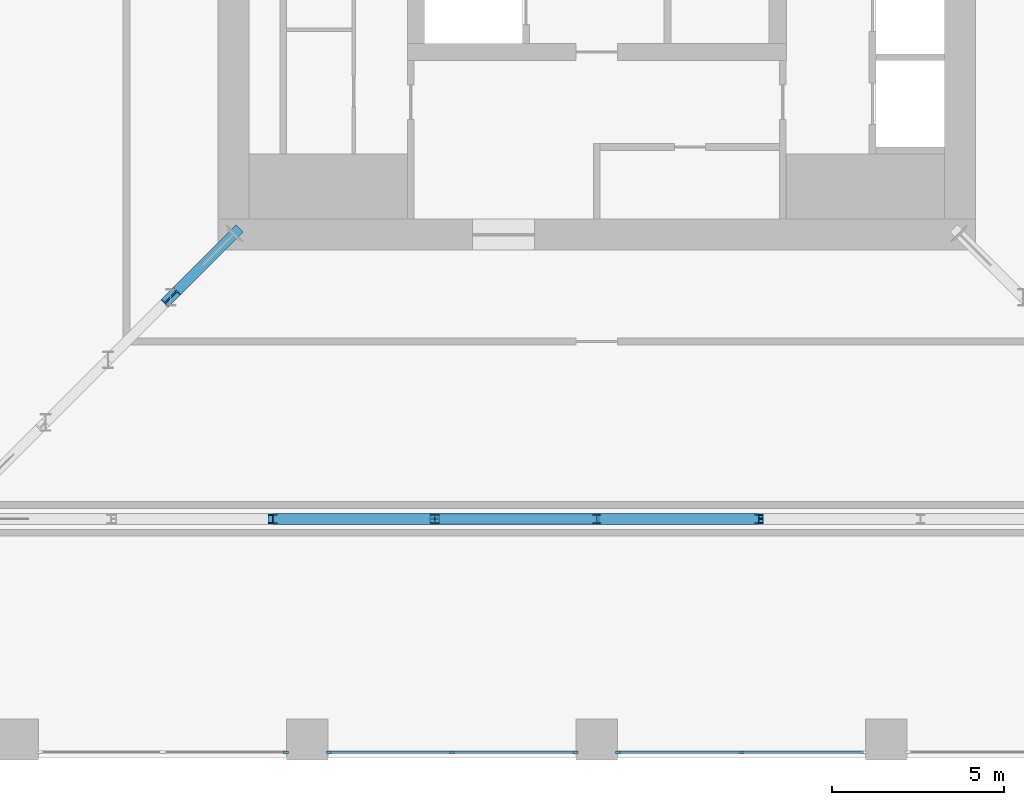
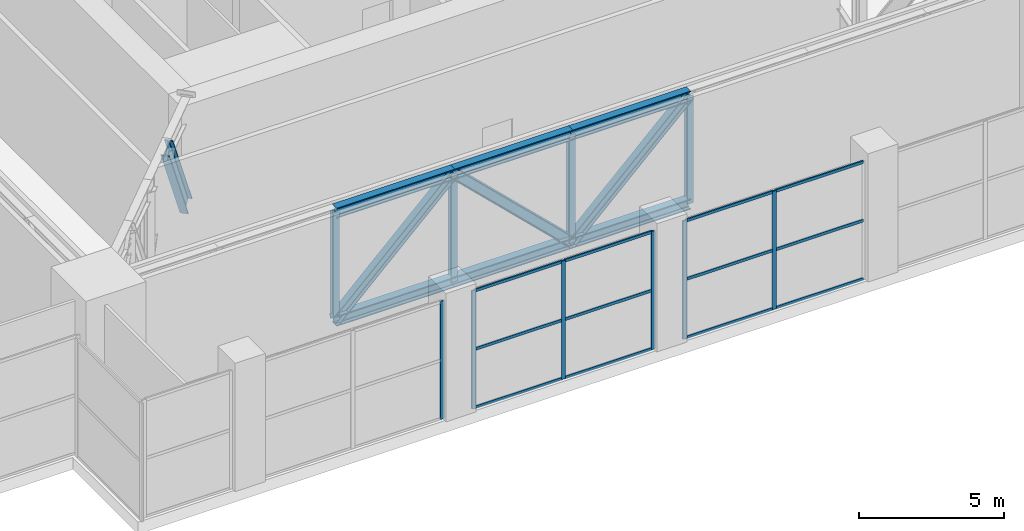
# One storey, part 3 of 21: 32 members, 3 elements without a shape of their own.
"""IFC4 building model written with IfcOpenShell, lengths in metres."""

from ifc_helpers import new_model, si_unit, direction, frame, origin, origin_2d, place, context, subcontext, project, spatial, rectangle, i_section, extrude, material, material_profile, profile_set, type_object, element, aggregate, save


model = new_model("IFC4")

# Units and contexts
model_context = context("Model", 3, precision=1e-05, world=origin(), true_north=direction((0.0, 1.0)))
body_context = subcontext(model_context, "Body", "Model", "MODEL_VIEW")
ifc_project = project(units=[si_unit("LENGTHUNIT", "METRE"), si_unit("AREAUNIT", "SQUARE_METRE"), si_unit("VOLUMEUNIT", "CUBIC_METRE"), si_unit("PLANEANGLEUNIT", "RADIAN"), si_unit("MASSUNIT", "GRAM", prefix="KILO")], contexts=[model_context])

# Site, building, storey
site_placement = place(None, origin())
site = spatial("IfcSite", under=ifc_project, at=site_placement, CompositionType="ELEMENT")
building_placement = place(site_placement, origin())
building = spatial("IfcBuilding", under=site, at=building_placement, Name="Khepri Terraces", CompositionType="ELEMENT")
storey_placement = place(building_placement, frame((0.0, 0.0, 235.199951171875)))
storey = spatial("IfcBuildingStorey", under=building, at=storey_placement, Name="L56", CompositionType="ELEMENT", Elevation=235.199951171875)

# Members
ifc_material_1 = material(Name="Steel S355", Category="steel")
ifc_material_profile_1 = material_profile(ifc_material_1, i_section(OverallWidth=0.306884765625, OverallDepth=0.431884765625, WebThickness=0.02099609375, FlangeThickness=0.0400390625, FilletRadius=0.027099609375, at=origin_2d()), Name="Steel S355", Category="steel")
ifc_profile_set_1 = profile_set([ifc_material_profile_1], Name="Steel S355")
member_type_1 = type_object("IfcMemberType", Name="Belt truss chord HEM 400", PredefinedType="CHORD", material=ifc_profile_set_1)
for number, where, z_axis, x_axis, name in (
    (1, (-9.39990234375, -18.800048828125, 0.216064453125), (1.0, 0.0, 0.0), (0.0, 1.0, 0.0), "Belt truss chord BT-56-S bottom 3"),
    (2, (-9.39990234375, -18.800048828125, 4.76416015625), (1.0, 0.0, 0.0), (0.0, 1.0, 0.0), "Belt truss chord BT-56-S top 3"),
    (3, (-4.699951171875, -18.800048828125, 0.216064453125), (1.0, 0.0, 0.0), (0.0, 1.0, 0.0), "Belt truss chord BT-56-S bottom 4"),
    (4, (-4.699951171875, -18.800048828125, 4.76416015625), (1.0, 0.0, 0.0), (0.0, 1.0, 0.0), "Belt truss chord BT-56-S top 4"),
    (5, (0.0, -18.800048828125, 0.216064453125), (1.0, 0.0, 0.0), (0.0, 1.0, 0.0), "Belt truss chord BT-56-S bottom 5"),
    (6, (0.0, -18.800048828125, 4.76416015625), (1.0, 0.0, 0.0), (0.0, 1.0, 0.0), "Belt truss chord BT-56-S top 5"),
):
    element("IfcMember", number, at=place(storey_placement, frame(where, z_axis=z_axis, x_axis=x_axis)), inside=storey, type_object=member_type_1, Name=name, PredefinedType="CHORD", context=body_context, shape_type="SweptSolid", body=[
        extrude(i_section(OverallWidth=0.306884765625, OverallDepth=0.431884765625, WebThickness=0.02099609375, FlangeThickness=0.0400390625, FilletRadius=0.027099609375, at=origin_2d()), origin(), (0.0, 0.0, 1.0), 4.699951171875),
    ])
ifc_material_profile_2 = material_profile(ifc_material_1, i_section(OverallWidth=0.300048828125, OverallDepth=0.39990234375, WebThickness=0.013427734375, FlangeThickness=0.02392578125, FilletRadius=0.027099609375, at=origin_2d()), Name="Steel S355", Category="steel")
ifc_profile_set_2 = profile_set([ifc_material_profile_2], Name="Steel S355")
member_type_2 = type_object("IfcMemberType", Name="Belt truss diagonal HEB 400", PredefinedType="BRACE", material=ifc_profile_set_2)
for number, where, z_axis, x_axis, name in (
    (7, (-9.39990234375, -18.800048828125, 0.216064453125), (0.718620795984, 0.0, 0.695402150974), (0.0, 1.0, 0.0), "Belt truss diagonal BT-56-S 3"),
    (8, (-4.699951171875, -18.800048828125, 4.76416015625), (0.718620795984, 0.0, -0.695402150974), (0.0, 1.0, 0.0), "Belt truss diagonal BT-56-S 4"),
    (9, (0.0, -18.800048828125, 0.216064453125), (0.718620795984, 0.0, 0.695402150974), (0.0, 1.0, 0.0), "Belt truss diagonal BT-56-S 5"),
):
    element("IfcMember", number, at=place(storey_placement, frame(where, z_axis=z_axis, x_axis=x_axis)), inside=storey, type_object=member_type_2, Name=name, PredefinedType="BRACE", context=body_context, shape_type="SweptSolid", body=[
        extrude(i_section(OverallWidth=0.300048828125, OverallDepth=0.39990234375, WebThickness=0.013427734375, FlangeThickness=0.02392578125, FilletRadius=0.027099609375, at=origin_2d()), origin(), (0.0, 0.0, 1.0), 6.540283203125),
    ])
ifc_material_profile_3 = material_profile(ifc_material_1, i_section(OverallWidth=0.239990234375, OverallDepth=0.239990234375, WebThickness=0.010009765625, FlangeThickness=0.01708984375, FilletRadius=0.02099609375, at=origin_2d()), Name="Steel S355", Category="steel")
ifc_profile_set_3 = profile_set([ifc_material_profile_3], Name="Steel S355")
member_type_3 = type_object("IfcMemberType", Name="Belt truss post HEB 240", PredefinedType="POST", material=ifc_profile_set_3)
for number, where, z_axis, x_axis, name in (
    (10, (-9.39990234375, -18.800048828125, 0.216064453125), (0.0, 0.0, 1.0), (1.0, 0.0, 0.0), "Belt truss post BT-56-S 2"),
    (11, (-4.699951171875, -18.800048828125, 0.216064453125), (0.0, 0.0, 1.0), (1.0, 0.0, 0.0), "Belt truss post BT-56-S 3"),
    (12, (0.0, -18.800048828125, 0.216064453125), (0.0, 0.0, 1.0), (1.0, 0.0, 0.0), "Belt truss post BT-56-S 4"),
    (13, (4.699951171875, -18.800048828125, 0.216064453125), (0.0, 0.0, 1.0), (1.0, 0.0, 0.0), "Belt truss post BT-56-S 5"),
):
    element("IfcMember", number, at=place(storey_placement, frame(where, z_axis=z_axis, x_axis=x_axis)), inside=storey, type_object=member_type_3, Name=name, PredefinedType="POST", context=body_context, shape_type="SweptSolid", body=[
        extrude(i_section(OverallWidth=0.239990234375, OverallDepth=0.239990234375, WebThickness=0.010009765625, FlangeThickness=0.01708984375, FilletRadius=0.02099609375, at=origin_2d()), origin(), (0.0, 0.0, 1.0), 4.548095703125),
    ])

# Curtain wall, member
ifc_material_2 = material(Name="Anodised aluminium bronze curtain wall", Category="aluminium")
curtain_wall_type = type_object("IfcCurtainWallType", Name="CW-SYS3-SKY", PredefinedType="NOTDEFINED", material=ifc_material_2)
curtain_wall_1_placement = place(storey_placement, origin())
curtain_wall_1 = element("IfcCurtainWall", 14, at=curtain_wall_1_placement, inside=storey, type_object=curtain_wall_type, Name="Curtain wall CW3 L56 S", PredefinedType="NOTDEFINED")
ifc_material_3 = material(Name="Anodised aluminium bronze", Category="aluminium")
ifc_material_profile_4 = material_profile(ifc_material_3, rectangle(XDim=0.06005859375, YDim=0.159912109375, at=origin_2d()), Name="Anodised aluminium bronze", Category="aluminium")
ifc_profile_set_4 = profile_set([ifc_material_profile_4], Name="Anodised aluminium bronze")
member_type_4 = type_object("IfcMemberType", Name="CW-MULLION-60x160", PredefinedType="MULLION", material=ifc_profile_set_4)
member_1_placement = place(storey_placement, frame((-9.030029296875, -25.570068359375, 0.0), z_axis=(0.0, 0.0, 1.0), x_axis=(0.0, 1.0, 0.0)))
member_1 = element("IfcMember", 15, at=member_1_placement, type_object=member_type_4, Name="CW3 mullion 3", PredefinedType="MULLION", context=body_context, shape_type="SweptSolid", body=[
    extrude(rectangle(XDim=0.06005859375, YDim=0.159912109375, at=origin_2d()), origin(), (0.0, 0.0, 1.0), 4.97998046875),
])
aggregate(curtain_wall_1, [member_1])

# Curtain wall, members
curtain_wall_2_placement = place(storey_placement, origin())
curtain_wall_2 = element("IfcCurtainWall", 16, at=curtain_wall_2_placement, inside=storey, type_object=curtain_wall_type, Name="Curtain wall CW3 L56 S", PredefinedType="NOTDEFINED")
member_2_placement = place(storey_placement, frame((-7.77001953125, -25.570068359375, 0.0), z_axis=(0.0, 0.0, 1.0), x_axis=(0.0, 1.0, 0.0)))
member_2 = element("IfcMember", 17, at=member_2_placement, type_object=member_type_4, Name="CW3 mullion 1", PredefinedType="MULLION", context=body_context, shape_type="SweptSolid", body=[
    extrude(rectangle(XDim=0.06005859375, YDim=0.159912109375, at=origin_2d()), origin(), (0.0, 0.0, 1.0), 4.97998046875),
])
member_3_placement = place(storey_placement, frame((-4.199951171875, -25.570068359375, 0.0), z_axis=(0.0, 0.0, 1.0), x_axis=(0.0, 1.0, 0.0)))
member_3 = element("IfcMember", 18, at=member_3_placement, type_object=member_type_4, Name="CW3 mullion 2", PredefinedType="MULLION", context=body_context, shape_type="SweptSolid", body=[
    extrude(rectangle(XDim=0.06005859375, YDim=0.159912109375, at=origin_2d()), origin(), (0.0, 0.0, 1.0), 4.97998046875),
])
member_4_placement = place(storey_placement, frame((-0.6298828125, -25.570068359375, 0.0), z_axis=(0.0, 0.0, 1.0), x_axis=(0.0, 1.0, 0.0)))
member_4 = element("IfcMember", 19, at=member_4_placement, type_object=member_type_4, Name="CW3 mullion 3", PredefinedType="MULLION", context=body_context, shape_type="SweptSolid", body=[
    extrude(rectangle(XDim=0.06005859375, YDim=0.159912109375, at=origin_2d()), origin(), (0.0, 0.0, 1.0), 4.97998046875),
])

curtain_wall_3_placement = place(storey_placement, origin())
curtain_wall_3 = element("IfcCurtainWall", 20, at=curtain_wall_3_placement, inside=storey, type_object=curtain_wall_type, Name="Curtain wall CW3 L56 S", PredefinedType="NOTDEFINED")
member_5_placement = place(storey_placement, frame((0.6298828125, -25.570068359375, 0.0), z_axis=(0.0, 0.0, 1.0), x_axis=(0.0, 1.0, 0.0)))
member_5 = element("IfcMember", 21, at=member_5_placement, type_object=member_type_4, Name="CW3 mullion 1", PredefinedType="MULLION", context=body_context, shape_type="SweptSolid", body=[
    extrude(rectangle(XDim=0.06005859375, YDim=0.159912109375, at=origin_2d()), origin(), (0.0, 0.0, 1.0), 4.97998046875),
])
member_6_placement = place(storey_placement, frame((4.199951171875, -25.570068359375, 0.0), z_axis=(0.0, 0.0, 1.0), x_axis=(0.0, 1.0, 0.0)))
member_6 = element("IfcMember", 22, at=member_6_placement, type_object=member_type_4, Name="CW3 mullion 2", PredefinedType="MULLION", context=body_context, shape_type="SweptSolid", body=[
    extrude(rectangle(XDim=0.06005859375, YDim=0.159912109375, at=origin_2d()), origin(), (0.0, 0.0, 1.0), 4.97998046875),
])

# Member
ifc_material_profile_5 = material_profile(ifc_material_3, rectangle(XDim=0.06005859375, YDim=0.1201171875, at=origin_2d()), Name="Anodised aluminium bronze", Category="aluminium")
ifc_profile_set_5 = profile_set([ifc_material_profile_5], Name="Anodised aluminium bronze")
member_type_5 = type_object("IfcMemberType", Name="CW-TRANSOM-60x120", PredefinedType="USERDEFINED", material=ifc_profile_set_5)
member_7_placement = place(storey_placement, frame((-7.739990234375, -25.570068359375, 0.030029296875), z_axis=(1.0, 0.0, 0.0), x_axis=(0.0, 1.0, 0.0)))
member_7 = element("IfcMember", 23, at=member_7_placement, type_object=member_type_5, Name="CW3 transom 1.1", ObjectType="TRANSOM", PredefinedType="USERDEFINED", context=body_context, shape_type="SweptSolid", body=[
    extrude(rectangle(XDim=0.06005859375, YDim=0.1201171875, at=origin_2d()), origin(), (0.0, 0.0, 1.0), 3.510009765625),
])

member_8_placement = place(storey_placement, frame((-7.739990234375, -25.570068359375, 2.489990234375), z_axis=(1.0, 0.0, 0.0), x_axis=(0.0, 1.0, 0.0)))
member_8 = element("IfcMember", 24, at=member_8_placement, type_object=member_type_5, Name="CW3 transom 1.2", ObjectType="TRANSOM", PredefinedType="USERDEFINED", context=body_context, shape_type="SweptSolid", body=[
    extrude(rectangle(XDim=0.06005859375, YDim=0.1201171875, at=origin_2d()), origin(), (0.0, 0.0, 1.0), 3.510009765625),
])

member_9_placement = place(storey_placement, frame((-7.739990234375, -25.570068359375, 4.949951171875), z_axis=(1.0, 0.0, 0.0), x_axis=(0.0, 1.0, 0.0)))
member_9 = element("IfcMember", 25, at=member_9_placement, type_object=member_type_5, Name="CW3 transom 1.3", ObjectType="TRANSOM", PredefinedType="USERDEFINED", context=body_context, shape_type="SweptSolid", body=[
    extrude(rectangle(XDim=0.06005859375, YDim=0.1201171875, at=origin_2d()), origin(), (0.0, 0.0, 1.0), 3.510009765625),
])

member_10_placement = place(storey_placement, frame((-4.169921875, -25.570068359375, 0.030029296875), z_axis=(1.0, 0.0, 0.0), x_axis=(0.0, 1.0, 0.0)))
member_10 = element("IfcMember", 26, at=member_10_placement, type_object=member_type_5, Name="CW3 transom 2.1", ObjectType="TRANSOM", PredefinedType="USERDEFINED", context=body_context, shape_type="SweptSolid", body=[
    extrude(rectangle(XDim=0.06005859375, YDim=0.1201171875, at=origin_2d()), origin(), (0.0, 0.0, 1.0), 3.510009765625),
])

member_11_placement = place(storey_placement, frame((-4.169921875, -25.570068359375, 2.489990234375), z_axis=(1.0, 0.0, 0.0), x_axis=(0.0, 1.0, 0.0)))
member_11 = element("IfcMember", 27, at=member_11_placement, type_object=member_type_5, Name="CW3 transom 2.2", ObjectType="TRANSOM", PredefinedType="USERDEFINED", context=body_context, shape_type="SweptSolid", body=[
    extrude(rectangle(XDim=0.06005859375, YDim=0.1201171875, at=origin_2d()), origin(), (0.0, 0.0, 1.0), 3.510009765625),
])

member_12_placement = place(storey_placement, frame((-4.169921875, -25.570068359375, 4.949951171875), z_axis=(1.0, 0.0, 0.0), x_axis=(0.0, 1.0, 0.0)))
member_12 = element("IfcMember", 28, at=member_12_placement, type_object=member_type_5, Name="CW3 transom 2.3", ObjectType="TRANSOM", PredefinedType="USERDEFINED", context=body_context, shape_type="SweptSolid", body=[
    extrude(rectangle(XDim=0.06005859375, YDim=0.1201171875, at=origin_2d()), origin(), (0.0, 0.0, 1.0), 3.510009765625),
])

aggregate(curtain_wall_2, [member_2, member_3, member_4, member_7, member_8, member_9, member_10, member_11, member_12])

member_13_placement = place(storey_placement, frame((0.659912109375, -25.570068359375, 0.030029296875), z_axis=(1.0, 0.0, 0.0), x_axis=(0.0, 1.0, 0.0)))
member_13 = element("IfcMember", 29, at=member_13_placement, type_object=member_type_5, Name="CW3 transom 1.1", ObjectType="TRANSOM", PredefinedType="USERDEFINED", context=body_context, shape_type="SweptSolid", body=[
    extrude(rectangle(XDim=0.06005859375, YDim=0.1201171875, at=origin_2d()), origin(), (0.0, 0.0, 1.0), 3.510009765625),
])

member_14_placement = place(storey_placement, frame((0.659912109375, -25.570068359375, 2.489990234375), z_axis=(1.0, 0.0, 0.0), x_axis=(0.0, 1.0, 0.0)))
member_14 = element("IfcMember", 30, at=member_14_placement, type_object=member_type_5, Name="CW3 transom 1.2", ObjectType="TRANSOM", PredefinedType="USERDEFINED", context=body_context, shape_type="SweptSolid", body=[
    extrude(rectangle(XDim=0.06005859375, YDim=0.1201171875, at=origin_2d()), origin(), (0.0, 0.0, 1.0), 3.510009765625),
])

member_15_placement = place(storey_placement, frame((0.659912109375, -25.570068359375, 4.949951171875), z_axis=(1.0, 0.0, 0.0), x_axis=(0.0, 1.0, 0.0)))
member_15 = element("IfcMember", 31, at=member_15_placement, type_object=member_type_5, Name="CW3 transom 1.3", ObjectType="TRANSOM", PredefinedType="USERDEFINED", context=body_context, shape_type="SweptSolid", body=[
    extrude(rectangle(XDim=0.06005859375, YDim=0.1201171875, at=origin_2d()), origin(), (0.0, 0.0, 1.0), 3.510009765625),
])

member_16_placement = place(storey_placement, frame((4.22998046875, -25.570068359375, 0.030029296875), z_axis=(1.0, 0.0, 0.0), x_axis=(0.0, 1.0, 0.0)))
member_16 = element("IfcMember", 32, at=member_16_placement, type_object=member_type_5, Name="CW3 transom 2.1", ObjectType="TRANSOM", PredefinedType="USERDEFINED", context=body_context, shape_type="SweptSolid", body=[
    extrude(rectangle(XDim=0.06005859375, YDim=0.1201171875, at=origin_2d()), origin(), (0.0, 0.0, 1.0), 3.510009765625),
])

member_17_placement = place(storey_placement, frame((4.22998046875, -25.570068359375, 2.489990234375), z_axis=(1.0, 0.0, 0.0), x_axis=(0.0, 1.0, 0.0)))
member_17 = element("IfcMember", 33, at=member_17_placement, type_object=member_type_5, Name="CW3 transom 2.2", ObjectType="TRANSOM", PredefinedType="USERDEFINED", context=body_context, shape_type="SweptSolid", body=[
    extrude(rectangle(XDim=0.06005859375, YDim=0.1201171875, at=origin_2d()), origin(), (0.0, 0.0, 1.0), 3.510009765625),
])

member_18_placement = place(storey_placement, frame((4.22998046875, -25.570068359375, 4.949951171875), z_axis=(1.0, 0.0, 0.0), x_axis=(0.0, 1.0, 0.0)))
member_18 = element("IfcMember", 34, at=member_18_placement, type_object=member_type_5, Name="CW3 transom 2.3", ObjectType="TRANSOM", PredefinedType="USERDEFINED", context=body_context, shape_type="SweptSolid", body=[
    extrude(rectangle(XDim=0.06005859375, YDim=0.1201171875, at=origin_2d()), origin(), (0.0, 0.0, 1.0), 3.510009765625),
])

aggregate(curtain_wall_3, [member_5, member_6, member_13, member_14, member_15, member_16, member_17, member_18])

ifc_material_profile_6 = material_profile(ifc_material_1, i_section(OverallWidth=0.304931640625, OverallDepth=0.6201171875, WebThickness=0.02099609375, FlangeThickness=0.0400390625, FilletRadius=0.027099609375, at=origin_2d()), Name="Steel S355", Category="steel")
ifc_profile_set_6 = profile_set([ifc_material_profile_6], Name="Steel S355")
member_type_6 = type_object("IfcMemberType", Name="Outrigger diagonal HEM 600", PredefinedType="BRACE", material=ifc_profile_set_6)
member_19_placement = place(storey_placement, frame((-10.550048828125, -10.550048828125, 0.406982421875), z_axis=(-0.370980902903, -0.370980902903, 0.85132035061), x_axis=(0.707106781187, -0.707106781187, 0.0)))
element("IfcMember", 35, at=member_19_placement, inside=storey, type_object=member_type_6, Name="Outrigger diagonal OT-56-WS 1", PredefinedType="BRACE", context=body_context, shape_type="SweptSolid", body=[
    extrude(i_section(OverallWidth=0.304931640625, OverallDepth=0.6201171875, WebThickness=0.02099609375, FlangeThickness=0.0400390625, FilletRadius=0.027099609375, at=origin_2d()), origin(), (0.0, 0.0, 1.0), 4.8935546875),
])

save(model, "model.ifc")
